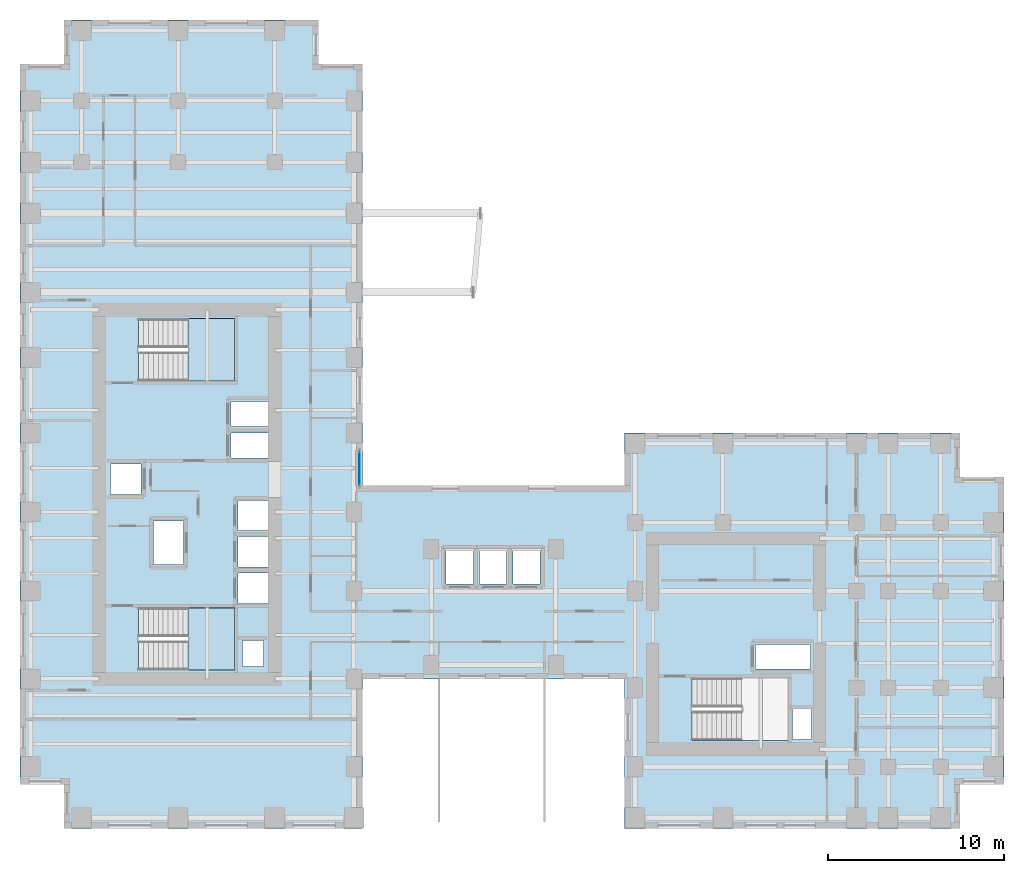
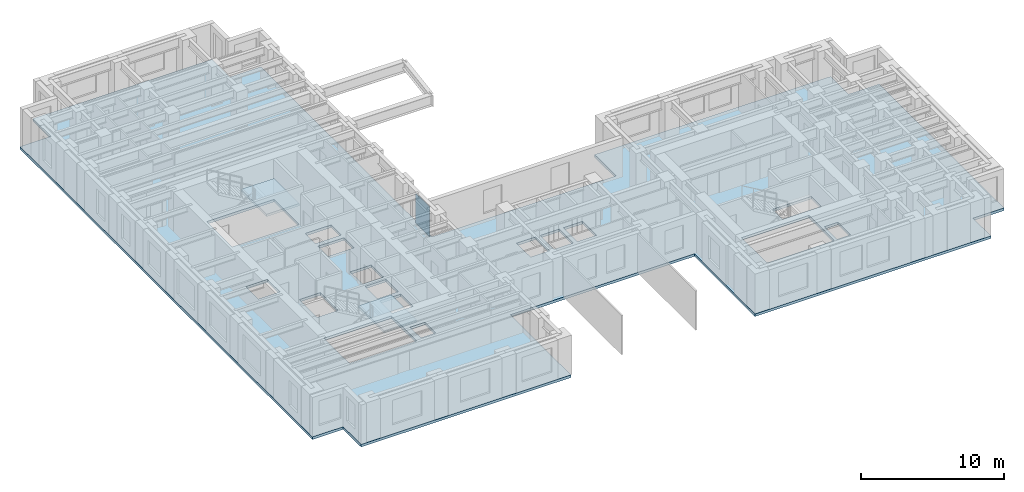
# One storey, part 4 of 13: 3 slabs, 1 plate, 3 elements without a shape of their own.
"""IFC4 building model written with IfcOpenShell, lengths in metres."""

from ifc_helpers import new_model, si_unit, direction, frame, origin, origin_2d, place, context, subcontext, project, spatial, polyline, rectangle, outline, extrude, source, transform, mapped, material, layer, layer_set, type_object, element, aggregate, save


model = new_model("IFC4")

# Units and contexts
model_context = context("Model", 3, precision=1e-05, world=origin(), true_north=direction((0.0, 1.0)))
body_context = subcontext(model_context, "Body", "Model", "MODEL_VIEW")
ifc_project = project(units=[si_unit("LENGTHUNIT", "METRE"), si_unit("AREAUNIT", "SQUARE_METRE"), si_unit("VOLUMEUNIT", "CUBIC_METRE"), si_unit("PLANEANGLEUNIT", "RADIAN"), si_unit("MASSUNIT", "GRAM", prefix="KILO")], contexts=[model_context])

# Site, building, storey
site_placement = place(None, origin())
site = spatial("IfcSite", under=ifc_project, at=site_placement, CompositionType="ELEMENT")
building_placement = place(site_placement, origin())
building = spatial("IfcBuilding", under=site, at=building_placement, Name="Kharzan Plaza Tower", CompositionType="ELEMENT")
storey_placement = place(building_placement, frame((0.0, 0.0, 109.800048828125)))
storey = spatial("IfcBuildingStorey", under=building, at=storey_placement, Name="L29", CompositionType="ELEMENT", Elevation=109.800048828125)

# Slab
ifc_material_1 = material(Name="Concrete C40/50", Category="concrete")
ifc_layer_1 = layer(ifc_material_1, 0.219970703125)
ifc_layer_set_1 = layer_set([ifc_layer_1], Name="Concrete C40/50")
slab_type_1 = type_object("IfcSlabType", Name="SL-FLOOR-220", PredefinedType="FLOOR", material=ifc_layer_set_1)
slab_1_placement = place(storey_placement, frame((0.0, 0.0, -0.219970703125)))
element("IfcSlab", 1, at=slab_1_placement, inside=storey, type_object=slab_type_1, Name="L29 Composite Structural Floor Slab 220 mm", PredefinedType="FLOOR", context=body_context, shape_type="SweptSolid", body=[
    extrude(outline(polyline([(34.39990234375, 19.5), (19.5, 19.5), (19.5, 43.5), (17.0, 43.5), (17.0, 46.0), (2.5, 46.0), (2.5, 43.5), (0.0, 43.5), (0.0, 2.5), (2.5, 2.5), (2.5, 0.0), (19.5, 0.0), (19.5, 8.5), (34.39990234375, 8.5), (34.39990234375, 0.0), (53.5, 0.0), (53.5, 2.5), (56.0, 2.5), (56.0, 20.0), (53.5, 20.0), (53.5, 22.5), (34.39990234375, 22.5), (34.39990234375, 19.5)]), holes=[polyline([(12.199951171875, 9.0), (12.199951171875, 12.550048828125), (6.75, 12.550048828125), (6.75, 9.0), (12.199951171875, 9.0)]), polyline([(14.10009765625, 12.800048828125), (14.10009765625, 14.530029296875), (12.39990234375, 14.530029296875), (12.39990234375, 12.800048828125), (14.10009765625, 12.800048828125)]), polyline([(14.10009765625, 14.8701171875), (14.10009765625, 16.60009765625), (12.39990234375, 16.60009765625), (12.39990234375, 14.8701171875), (14.10009765625, 14.8701171875)]), polyline([(9.300048828125, 15.0), (9.300048828125, 17.5), (7.60009765625, 17.5), (7.60009765625, 15.0), (9.300048828125, 15.0)]), polyline([(6.89990234375, 19.010009765625), (6.89990234375, 20.72998046875), (5.14990234375, 20.72998046875), (5.14990234375, 19.010009765625), (6.89990234375, 19.010009765625)]), polyline([(14.10009765625, 21.070068359375), (14.10009765625, 22.489990234375), (12.0, 22.489990234375), (12.0, 21.070068359375), (14.10009765625, 21.070068359375)]), polyline([(14.10009765625, 22.8701171875), (14.10009765625, 24.2900390625), (12.0, 24.2900390625), (12.0, 22.8701171875), (14.10009765625, 22.8701171875)]), polyline([(12.199951171875, 25.449951171875), (12.199951171875, 29.0), (6.75, 29.0), (6.75, 25.449951171875), (12.199951171875, 25.449951171875)]), polyline([(45.050048828125, 5.050048828125), (45.050048828125, 6.800048828125), (43.949951171875, 6.800048828125), (43.949951171875, 5.050048828125), (45.050048828125, 5.050048828125)]), polyline([(43.699951171875, 5.0), (43.699951171875, 8.550048828125), (38.25, 8.550048828125), (38.25, 5.0), (43.699951171875, 5.0)]), polyline([(45.0, 9.070068359375), (45.0, 10.469970703125), (41.85009765625, 10.469970703125), (41.85009765625, 9.070068359375), (45.0, 9.070068359375)]), polyline([(13.85009765625, 9.199951171875), (13.85009765625, 10.699951171875), (12.64990234375, 10.699951171875), (12.64990234375, 9.199951171875), (13.85009765625, 9.199951171875)]), polyline([(25.800048828125, 13.89990234375), (25.800048828125, 15.85009765625), (24.25, 15.85009765625), (24.25, 13.89990234375), (25.800048828125, 13.89990234375)]), polyline([(27.699951171875, 13.89990234375), (27.699951171875, 15.85009765625), (26.14990234375, 15.85009765625), (26.14990234375, 13.89990234375), (27.699951171875, 13.89990234375)]), polyline([(29.60009765625, 13.89990234375), (29.60009765625, 15.85009765625), (28.050048828125, 15.85009765625), (28.050048828125, 13.89990234375), (29.60009765625, 13.89990234375)]), polyline([(14.10009765625, 16.93994140625), (14.10009765625, 18.64990234375), (12.39990234375, 18.64990234375), (12.39990234375, 16.93994140625), (14.10009765625, 16.93994140625)])]), origin(), (0.0, 0.0, 1.0), 0.219970703125),
])

# Stair, slab
stair_type_1 = type_object("IfcStairType", Name="STR-ST-1", PredefinedType="HALF_TURN_STAIR", material=ifc_material_1)
stair_1_placement = place(storey_placement, origin())
stair_1 = element("IfcStair", 2, at=stair_1_placement, inside=storey, type_object=stair_type_1, Name="L29 Protected Exit Stair ST-1", PredefinedType="HALF_TURN_STAIR")
ifc_layer_2 = layer(ifc_material_1, 0.219970703125)
ifc_layer_set_2 = layer_set([ifc_layer_2], Name="Concrete C40/50")
slab_type_2 = type_object("IfcSlabType", Name="SL-LANDING-220", PredefinedType="LANDING", material=ifc_layer_set_2)
slab_2_placement = place(storey_placement, frame((0.0, 0.0, 1.599853515625)))
slab_2 = element("IfcSlab", 3, at=slab_2_placement, type_object=slab_type_2, Name="ST-1 landing 1", PredefinedType="LANDING", context=body_context, shape_type="SweptSolid", body=[
    extrude(outline(polyline([(9.550048828125, 9.0), (12.199951171875, 9.0), (12.199951171875, 12.550048828125), (9.550048828125, 12.550048828125), (9.550048828125, 9.0)])), origin(), (0.0, 0.0, 1.0), 0.2001953125),
])
aggregate(stair_1, [slab_2])

stair_type_2 = type_object("IfcStairType", Name="STR-ST-2", PredefinedType="HALF_TURN_STAIR", material=ifc_material_1)
stair_2_placement = place(storey_placement, origin())
stair_2 = element("IfcStair", 4, at=stair_2_placement, inside=storey, type_object=stair_type_2, Name="L29 Protected Exit Stair ST-2", PredefinedType="HALF_TURN_STAIR")
slab_3_placement = place(storey_placement, frame((0.0, 0.0, 1.599853515625)))
slab_3 = element("IfcSlab", 5, at=slab_3_placement, type_object=slab_type_2, Name="ST-2 landing 1", PredefinedType="LANDING", context=body_context, shape_type="SweptSolid", body=[
    extrude(outline(polyline([(9.550048828125, 25.449951171875), (12.199951171875, 25.449951171875), (12.199951171875, 29.0), (9.550048828125, 29.0), (9.550048828125, 25.449951171875)])), origin(), (0.0, 0.0, 1.0), 0.2001953125),
])
aggregate(stair_2, [slab_3])

# Curtain wall, plate
ifc_material_2 = material(Name="Unitised Bronze-Anodized Aluminium and Low-E Glass", Category="aluminium")
ifc_layer_3 = layer(ifc_material_2, 0.199951171875)
ifc_layer_set_3 = layer_set([ifc_layer_3], Name="Unitised Bronze-Anodized Aluminium and Low-E Glass")
curtain_wall_type = type_object("IfcCurtainWallType", Name="CW-SLOT-3", PredefinedType="NOTDEFINED", material=ifc_layer_set_3)
curtain_wall_placement = place(storey_placement, origin())
curtain_wall = element("IfcCurtainWall", 6, at=curtain_wall_placement, inside=storey, type_object=curtain_wall_type, Name="L29 West Slot Recessed Spine Curtain Wall", PredefinedType="NOTDEFINED")
ifc_material_3 = material(Name="Dark Solar-Control Double Glazing", Category="glass")
ifc_layer_4 = layer(ifc_material_3, 0.031982421875)
ifc_layer_set_4 = layer_set([ifc_layer_4], Name="Dark Solar-Control Double Glazing")
plate_type = type_object("IfcPlateType", Name="PLT-CW-GLASS", PredefinedType="CURTAIN_PANEL", material=ifc_layer_set_4)
shared_shape = source(origin(), body_context, "Body", "SweptSolid", [
    extrude(rectangle(XDim=1.929931640625, YDim=0.031982421875, at=origin_2d()), origin(), (0.0, 0.0, 1.0), 2.5400390625),
])
plate_placement = place(storey_placement, frame((19.320068359375, 20.47509765625, 0.079833984375), z_axis=(0.0, 0.0, 1.0), x_axis=(0.0, 1.0, 0.0)))
plate = element("IfcPlate", 7, at=plate_placement, type_object=plate_type, Name="L29 Curtain-Wall Glazed Panel 00", PredefinedType="CURTAIN_PANEL", context=body_context, shape_type="MappedRepresentation", body=[
    mapped(shared_shape, transform((0.0, 0.0, 0.0), x_axis=(1.0, 0.0, 0.0), y_axis=(0.0, 1.0, 0.0), z_axis=(0.0, 0.0, 1.0))),
])
aggregate(curtain_wall, [plate])

save(model, "model.ifc")
